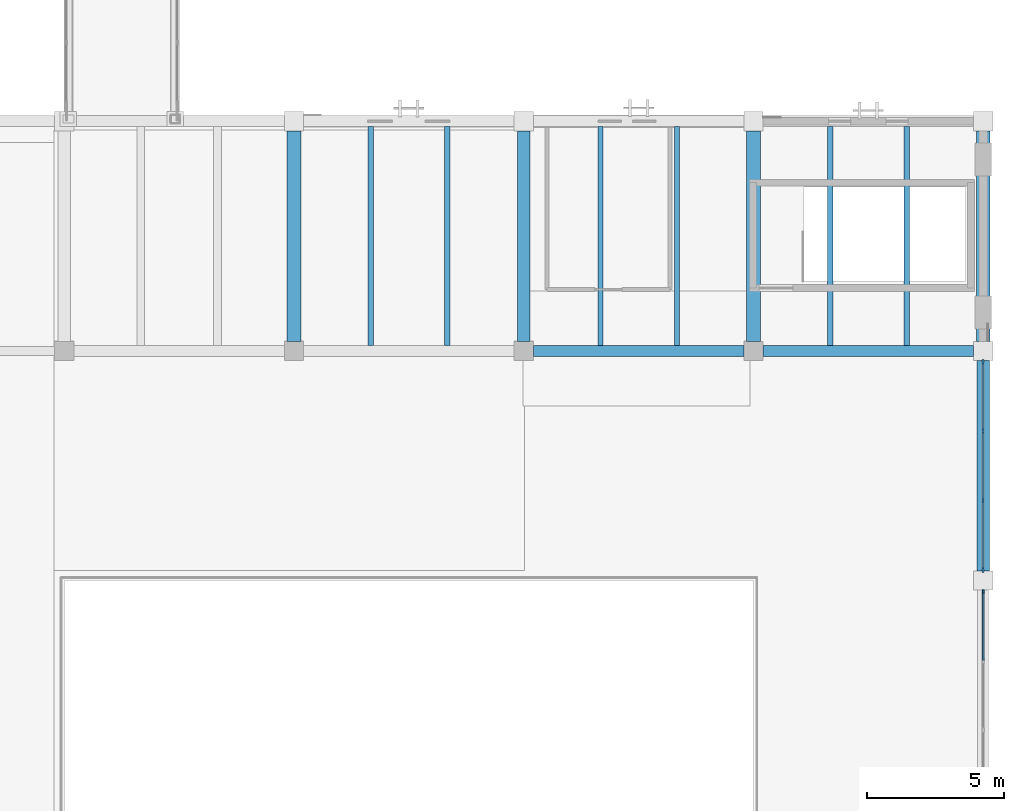
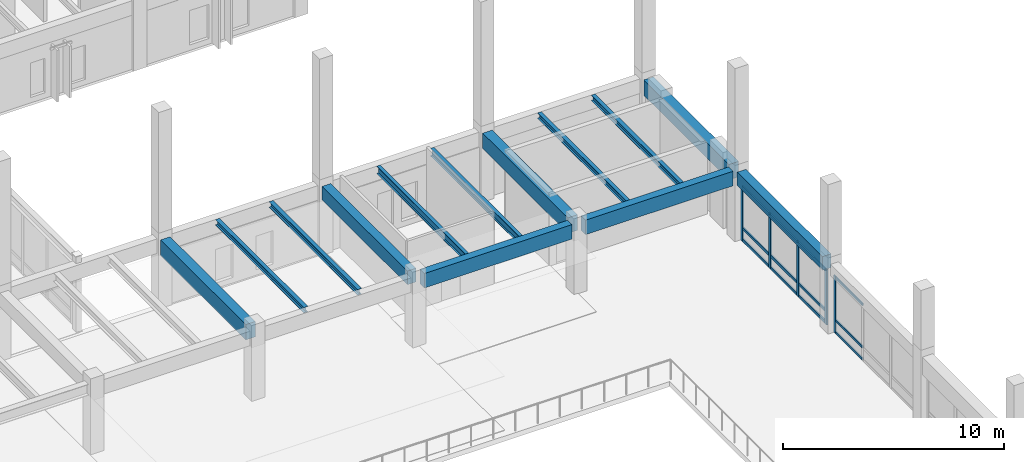
# One storey, part 56 of 132: 17 members, 13 beams, 2 elements without a shape of their own.
"""IFC4 building model written with IfcOpenShell, lengths in metres."""

import ifcopenshell
import ifcopenshell.guid

model = None  # the IFC model being written
_history = None  # IfcOwnerHistory: only IFC2X3 demands one
_inside = {}  # id of a spatial element -> (the spatial element, [elements in it])
_under = {}  # id of a project, library or spatial element -> (it, [spatial elements below it])
_declared = {}  # id of a project -> (the project, [libraries it declares])
_typed = {}  # id of a type object -> (the type object, [elements of that type])
_made_of = {}  # id of a material, layer set ... -> (it, [elements and type objects made of it])


def new_model(schema):
    """Start an empty IFC model of exactly this schema.

    Asked for "IFC4X3", IfcOpenShell would pick the latest addendum, in which some entities
    have other attributes; the version numbers below select the first issue.
    IFC2X3 requires an IfcOwnerHistory on every rooted entity: one is made here for all.
    """
    global model, _history
    if schema == "IFC4X3":
        model = ifcopenshell.file(schema_version=(4, 3, 0, 0))
    else:
        model = ifcopenshell.file(schema=schema)
    _inside.clear()
    _under.clear()
    _declared.clear()
    _typed.clear()
    _made_of.clear()
    _history = None
    if model.schema == "IFC2X3":
        org = make("IfcOrganization", Name="unknown")
        user = make(
            "IfcPersonAndOrganization",
            ThePerson=make("IfcPerson", FamilyName="unknown"),
            TheOrganization=org,
        )
        app = make(
            "IfcApplication",
            ApplicationDeveloper=org,
            Version="unknown",
            ApplicationFullName="unknown",
            ApplicationIdentifier="unknown",
        )
        _history = make(
            "IfcOwnerHistory",
            OwningUser=user,
            OwningApplication=app,
            ChangeAction="ADDED",
            CreationDate=0,
        )
    return model


def make(cls, **values):
    """One entity of the class cls with the attributes given. An attribute that is None is left unset."""
    return model.create_entity(
        cls, **{name: value for name, value in values.items() if value is not None}
    )


def rooted(cls, **values):
    """An entity with a GlobalId (a new one), such as an element, a storey or a relation."""
    return make(cls, GlobalId=ifcopenshell.guid.new(), OwnerHistory=_history, **values)


def si_unit(unit_type, name, prefix=None):
    """IfcSIUnit, for example si_unit("LENGTHUNIT", "METRE", prefix="MILLI")."""
    return make("IfcSIUnit", UnitType=unit_type, Prefix=prefix, Name=name)


def assignment(units):
    """IfcUnitAssignment: the units of a project."""
    return None if units is None else make("IfcUnitAssignment", Units=units)


def point(xyz):
    """IfcCartesianPoint."""
    return None if xyz is None else make("IfcCartesianPoint", Coordinates=xyz)


def direction(xyz):
    """IfcDirection."""
    return None if xyz is None else make("IfcDirection", DirectionRatios=xyz)


def frame(location, z_axis=None, x_axis=None):
    """IfcAxis2Placement3D, a coordinate frame: its origin and axes. An axis left out is left unset."""
    return make(
        "IfcAxis2Placement3D",
        Location=point(location),
        Axis=direction(z_axis),
        RefDirection=direction(x_axis),
    )


def frame_2d(location, x_axis=None):
    """IfcAxis2Placement2D, a coordinate frame in the plane: its origin and x axis."""
    return make(
        "IfcAxis2Placement2D", Location=point(location), RefDirection=direction(x_axis)
    )


def origin():
    """The frame at (0, 0, 0) with its axes left unset."""
    return frame((0.0, 0.0, 0.0))


def origin_2d():
    """The frame at (0, 0) in the plane with its x axis left unset."""
    return frame_2d((0.0, 0.0))


def place(relative_to, where):
    """IfcLocalPlacement: puts the frame where relative to a parent placement (None: the world)."""
    return make(
        "IfcLocalPlacement", PlacementRelTo=relative_to, RelativePlacement=where
    )


def context(
    kind, dimensions, precision=None, world=None, true_north=None, identifier=None
):
    """IfcGeometricRepresentationContext, for example the 3D "Model" context."""
    return make(
        "IfcGeometricRepresentationContext",
        ContextIdentifier=identifier,
        ContextType=kind,
        CoordinateSpaceDimension=dimensions,
        Precision=precision,
        WorldCoordinateSystem=world,
        TrueNorth=true_north,
    )


def subcontext(parent, identifier, kind, view, scale=None):
    """IfcGeometricRepresentationSubContext, for example "Body" below "Model"."""
    return make(
        "IfcGeometricRepresentationSubContext",
        ContextIdentifier=identifier,
        ContextType=kind,
        ParentContext=parent,
        TargetScale=scale,
        TargetView=view,
    )


def project(units=None, contexts=None):
    """IfcProject with its units and contexts."""
    return rooted(
        "IfcProject",
        Name="project",
        RepresentationContexts=contexts,
        UnitsInContext=assignment(units),
    )


def spatial(cls, under=None, at=None, **own):
    """A site, building, storey or space (cls), placed at a placement, below another one or the project."""
    s = rooted(cls, ObjectPlacement=at, **own)
    if under is not None:
        _under.setdefault(under.id(), (under, []))[1].append(s)
    return s


def profile(cls, at=None, kind="AREA", **sizes):
    """A parametric profile (cls). Its sizes go by their IFC names, for example OverallWidth=200.0."""
    return make(cls, ProfileType=kind, Position=at, **sizes)


def rectangle(**sizes):
    """IfcRectangleProfileDef."""
    return profile("IfcRectangleProfileDef", **sizes)


def i_section(**sizes):
    """IfcIShapeProfileDef."""
    return profile("IfcIShapeProfileDef", **sizes)


def extrude(swept, where, along, depth):
    """IfcExtrudedAreaSolid: the profile swept, set in the frame where, extruded along a direction by depth."""
    return make(
        "IfcExtrudedAreaSolid",
        SweptArea=swept,
        Position=where,
        ExtrudedDirection=direction(along),
        Depth=depth,
    )


def shape(context_of_items, identifier, shape_type, items):
    """IfcShapeRepresentation: the items that make up one representation, for example the "Body"."""
    return make(
        "IfcShapeRepresentation",
        ContextOfItems=context_of_items,
        RepresentationIdentifier=identifier,
        RepresentationType=shape_type,
        Items=items,
    )


def material(Name=None, Category=None):
    """IfcMaterial."""
    return make("IfcMaterial", Name=Name, Category=Category)


def material_profile(
    of_material, cross_section, Name=None, Category=None, Priority=None
):
    """IfcMaterialProfile: a cross section and its material."""
    return make(
        "IfcMaterialProfile",
        Name=Name,
        Material=of_material,
        Profile=cross_section,
        Priority=Priority,
        Category=Category,
    )


def profile_set(profiles, Name=None, composite=None):
    """IfcMaterialProfileSet."""
    return make(
        "IfcMaterialProfileSet",
        Name=Name,
        MaterialProfiles=profiles,
        CompositeProfile=composite,
    )


def made_of(thing, what):
    """Note that an element or type object is made of a material, layer set ...; save() writes the relation."""
    if what is not None:
        _made_of.setdefault(what.id(), (what, []))[1].append(thing)
    return thing


def type_object(cls, material=None, **own):
    """A type object (cls), such as IfcWallType, which elements share."""
    return made_of(rooted(cls, **own), material)


def element(
    cls,
    number,
    at=None,
    inside=None,
    cuts=None,
    type_object=None,
    material=None,
    context=None,
    identifier="Body",
    shape_type=None,
    held_by="IfcProductDefinitionShape",
    body=None,
    shapes=None,
    **own,
):
    """One element of the class cls, such as IfcWall. Its Tag is "e" and its number.

    at: its placement. inside: the storey or other place that contains it. cuts: it is an
    opening in that element (IfcRelVoidsElement). A single representation is given by context,
    identifier, shape_type and body (its items); several are given by shapes. held_by: the class
    of the entity that holds the representations. save() writes the other relations.
    """
    e = rooted(cls, Tag="e%d" % number, ObjectPlacement=at, **own)
    if body is not None:
        shapes = [shape(context, identifier, shape_type, body)]
    if shapes is not None:
        e.Representation = make(held_by, Representations=shapes)
    if inside is not None:
        _inside.setdefault(inside.id(), (inside, []))[1].append(e)
    if cuts is not None:
        rooted(
            "IfcRelVoidsElement", RelatingBuildingElement=cuts, RelatedOpeningElement=e
        )
    if type_object is not None:
        _typed.setdefault(type_object.id(), (type_object, []))[1].append(e)
    return made_of(e, material)


def aggregate(whole, parts):
    """IfcRelAggregates: a whole, such as a stair, and the parts it consists of."""
    return rooted("IfcRelAggregates", RelatingObject=whole, RelatedObjects=parts)


def save(model, path):
    """Write the relations noted so far, then the file.

    IfcRelAggregates (storeys below a building ...), IfcRelContainedInSpatialStructure (elements
    in a storey), IfcRelDefinesByType, IfcRelAssociatesMaterial and IfcRelDeclares: one each for
    every whole, place, type object, material and project.
    """
    for whole, parts in _under.values():
        aggregate(whole, parts)
    for where, things in _inside.values():
        rooted(
            "IfcRelContainedInSpatialStructure",
            RelatedElements=things,
            RelatingStructure=where,
        )
    for kind, things in _typed.values():
        rooted("IfcRelDefinesByType", RelatedObjects=things, RelatingType=kind)
    for what, things in _made_of.values():
        rooted("IfcRelAssociatesMaterial", RelatedObjects=things, RelatingMaterial=what)
    for by, libraries in _declared.values():
        rooted("IfcRelDeclares", RelatingContext=by, RelatedDefinitions=libraries)
    model.write(path)


model = new_model("IFC4")

# Units and contexts
model_context = context("Model", 3, precision=1e-05, world=origin(), true_north=direction((0.0, 1.0)))
body_context = subcontext(model_context, "Body", "Model", "MODEL_VIEW")
ifc_project = project(units=[si_unit("LENGTHUNIT", "METRE"), si_unit("AREAUNIT", "SQUARE_METRE"), si_unit("VOLUMEUNIT", "CUBIC_METRE"), si_unit("PLANEANGLEUNIT", "RADIAN"), si_unit("MASSUNIT", "GRAM", prefix="KILO")], contexts=[model_context])

# Site, building, storey
site_placement = place(None, origin())
site = spatial("IfcSite", under=ifc_project, at=site_placement, CompositionType="ELEMENT")
building_placement = place(site_placement, origin())
building = spatial("IfcBuilding", under=site, at=building_placement, Name="Cumbredor Promenade Congress Hotel", CompositionType="ELEMENT")
storey_placement = place(building_placement, frame((0.0, 0.0, 7.56005859375)))
storey = spatial("IfcBuildingStorey", under=building, at=storey_placement, Name="L02", CompositionType="ELEMENT", Elevation=7.56005859375)

# Beams
ifc_material_1 = material(Name="Concrete C40/50", Category="concrete")
ifc_material_profile_1 = material_profile(ifc_material_1, rectangle(XDim=0.449951171875, YDim=0.75, at=origin_2d()), Name="RC BEAM 450x750")
ifc_profile_set_1 = profile_set([ifc_material_profile_1], Name="Concrete C40/50")
beam_type_1 = type_object("IfcBeamType", Name="BM-RC-450x750", PredefinedType="BEAM", material=ifc_profile_set_1)
beam_1_placement = place(storey_placement, frame((168.0, 59.14990234375, 3.425048828125), z_axis=(0.0, 1.0, 0.0), x_axis=(-1.0, 0.0, 0.0)))
element("IfcBeam", 1, at=beam_1_placement, inside=storey, type_object=beam_type_1, Name="L03 Y-Grid Beam 233", PredefinedType="BEAM", context=body_context, shape_type="SweptSolid", body=[
    extrude(rectangle(XDim=0.449951171875, YDim=0.75, at=origin_2d()), origin(), (0.0, 0.0, 1.0), 7.7001953125),
])
beam_2_placement = place(storey_placement, frame((184.800048828125, 50.75, 3.425048828125), z_axis=(0.0, 1.0, 0.0), x_axis=(-1.0, 0.0, 0.0)))
element("IfcBeam", 2, at=beam_2_placement, inside=storey, type_object=beam_type_1, Name="L03 Y-Grid Beam 257", PredefinedType="BEAM", context=body_context, shape_type="SweptSolid", body=[
    extrude(rectangle(XDim=0.449951171875, YDim=0.75, at=origin_2d()), origin(), (0.0, 0.0, 1.0), 7.699951171875),
])
ifc_material_profile_2 = material_profile(ifc_material_1, rectangle(XDim=0.5, YDim=0.85009765625, at=origin_2d()), Name="RC BEAM 500x850")
ifc_profile_set_2 = profile_set([ifc_material_profile_2], Name="Concrete C40/50")
beam_type_2 = type_object("IfcBeamType", Name="BM-RC-500x850", PredefinedType="BEAM", material=ifc_profile_set_2)
for number, where, z_axis, x_axis, name in (
    (3, (159.60009765625, 59.14990234375, 3.375), (0.0, 1.0, 0.0), (-1.0, 0.0, 0.0), "L03 Y-Grid Beam 218"),
    (4, (176.39990234375, 59.14990234375, 3.375), (0.0, 1.0, 0.0), (-1.0, 0.0, 0.0), "L03 Y-Grid Beam 246"),
    (5, (184.800048828125, 59.14990234375, 3.375), (0.0, 1.0, 0.0), (-1.0, 0.0, 0.0), "L03 Y-Grid Beam 258"),
):
    element("IfcBeam", number, at=place(storey_placement, frame(where, z_axis=z_axis, x_axis=x_axis)), inside=storey, type_object=beam_type_2, Name=name, PredefinedType="BEAM", context=body_context, shape_type="SweptSolid", body=[
        extrude(rectangle(XDim=0.5, YDim=0.85009765625, at=origin_2d()), origin(), (0.0, 0.0, 1.0), 7.7001953125),
    ])

# Curtain wall, member
ifc_material_2 = material(Name="Thermally broken anodized aluminium and low-E glass", Category="aluminium")
curtain_wall_type = type_object("IfcCurtainWallType", Name="Unitised Bronze Curtain Wall CW-01", PredefinedType="NOTDEFINED", material=ifc_material_2)
curtain_wall_1_placement = place(storey_placement, origin())
curtain_wall_1 = element("IfcCurtainWall", 6, at=curtain_wall_1_placement, inside=storey, type_object=curtain_wall_type, Name="L02 Grand Ballroom Pavilion East Curtain Wall 5", PredefinedType="NOTDEFINED")
ifc_material_3 = material(Name="Thermally broken anodized aluminium", Category="aluminium")
ifc_material_profile_3 = material_profile(ifc_material_3, rectangle(XDim=0.06494140625, YDim=0.159912109375, at=origin_2d()), Name="ALU MULLION 65x160")
ifc_profile_set_3 = profile_set([ifc_material_profile_3], Name="Thermally broken anodized aluminium")
member_type_1 = type_object("IfcMemberType", Name="Curtain Wall Mullion ML-01", PredefinedType="MULLION", material=ifc_profile_set_3)
member_1_placement = place(storey_placement, frame((184.800048828125, 49.9951171875, -0.008056640625), z_axis=(0.0, 0.0, 1.0), x_axis=(1.0, 0.0, 0.0)))
member_1 = element("IfcMember", 7, at=member_1_placement, type_object=member_type_1, Name="L02 Grand Ballroom Pavilion East Curtain Wall 5 Mullion 4", PredefinedType="MULLION", context=body_context, shape_type="SweptSolid", body=[
    extrude(rectangle(XDim=0.06494140625, YDim=0.159912109375, at=origin_2d()), origin(), (0.0, 0.0, 1.0), 3.15087890625),
])

# Curtain wall, members
curtain_wall_2_placement = place(storey_placement, origin())
curtain_wall_2 = element("IfcCurtainWall", 8, at=curtain_wall_2_placement, inside=storey, type_object=curtain_wall_type, Name="L02 Grand Ballroom Pavilion East Curtain Wall 6", PredefinedType="NOTDEFINED")
ifc_material_profile_4 = material_profile(ifc_material_3, rectangle(XDim=0.074951171875, YDim=0.199951171875, at=origin_2d()), Name="ALU MULLION 75x200")
ifc_profile_set_4 = profile_set([ifc_material_profile_4], Name="Thermally broken anodized aluminium")
member_type_2 = type_object("IfcMemberType", Name="Curtain Wall Mullion ML-02", PredefinedType="MULLION", material=ifc_profile_set_4)
member_2_placement = place(storey_placement, frame((184.800048828125, 50.804931640625, -0.008056640625), z_axis=(0.0, 0.0, 1.0), x_axis=(1.0, 0.0, 0.0)))
member_2 = element("IfcMember", 9, at=member_2_placement, type_object=member_type_2, Name="L02 Grand Ballroom Pavilion East Curtain Wall 6 Mullion 1", PredefinedType="MULLION", context=body_context, shape_type="SweptSolid", body=[
    extrude(rectangle(XDim=0.074951171875, YDim=0.199951171875, at=origin_2d()), origin(), (0.0, 0.0, 1.0), 3.051025390625),
])
member_3_placement = place(storey_placement, frame((184.800048828125, 53.3349609375, -0.008056640625), z_axis=(0.0, 0.0, 1.0), x_axis=(1.0, 0.0, 0.0)))
member_3 = element("IfcMember", 10, at=member_3_placement, type_object=member_type_2, Name="L02 Grand Ballroom Pavilion East Curtain Wall 6 Mullion 2", PredefinedType="MULLION", context=body_context, shape_type="SweptSolid", body=[
    extrude(rectangle(XDim=0.074951171875, YDim=0.199951171875, at=origin_2d()), origin(), (0.0, 0.0, 1.0), 3.051025390625),
])
member_4_placement = place(storey_placement, frame((184.800048828125, 55.864990234375, -0.008056640625), z_axis=(0.0, 0.0, 1.0), x_axis=(1.0, 0.0, 0.0)))
member_4 = element("IfcMember", 11, at=member_4_placement, type_object=member_type_2, Name="L02 Grand Ballroom Pavilion East Curtain Wall 6 Mullion 3", PredefinedType="MULLION", context=body_context, shape_type="SweptSolid", body=[
    extrude(rectangle(XDim=0.074951171875, YDim=0.199951171875, at=origin_2d()), origin(), (0.0, 0.0, 1.0), 3.051025390625),
])
member_5_placement = place(storey_placement, frame((184.800048828125, 58.39501953125, -0.008056640625), z_axis=(0.0, 0.0, 1.0), x_axis=(1.0, 0.0, 0.0)))
member_5 = element("IfcMember", 12, at=member_5_placement, type_object=member_type_2, Name="L02 Grand Ballroom Pavilion East Curtain Wall 6 Mullion 4", PredefinedType="MULLION", context=body_context, shape_type="SweptSolid", body=[
    extrude(rectangle(XDim=0.074951171875, YDim=0.199951171875, at=origin_2d()), origin(), (0.0, 0.0, 1.0), 3.051025390625),
])

# Member
ifc_material_profile_5 = material_profile(ifc_material_3, rectangle(XDim=0.06494140625, YDim=0.1298828125, at=origin_2d()), Name="ALU TRANSOM 65x130")
ifc_profile_set_5 = profile_set([ifc_material_profile_5], Name="Thermally broken anodized aluminium")
member_type_3 = type_object("IfcMemberType", Name="Curtain Wall Transom TR-01", PredefinedType="USERDEFINED", material=ifc_profile_set_5)
member_6_placement = place(storey_placement, frame((184.800048828125, 47.49755859375, 0.06005859375), z_axis=(0.0, 1.0, 0.0), x_axis=(-1.0, 0.0, 0.0)))
member_6 = element("IfcMember", 13, at=member_6_placement, type_object=member_type_3, Name="L02 Grand Ballroom Pavilion East Curtain Wall 5 Transom 3.1", ObjectType="TRANSOM", PredefinedType="USERDEFINED", context=body_context, shape_type="SweptSolid", body=[
    extrude(rectangle(XDim=0.06494140625, YDim=0.1298828125, at=origin_2d()), origin(), (0.0, 0.0, 1.0), 2.46484375),
])

member_7_placement = place(storey_placement, frame((184.800048828125, 47.49755859375, 0.719970703125), z_axis=(0.0, 1.0, 0.0), x_axis=(-1.0, 0.0, 0.0)))
member_7 = element("IfcMember", 14, at=member_7_placement, type_object=member_type_3, Name="L02 Grand Ballroom Pavilion East Curtain Wall 5 Transom 3.2", ObjectType="TRANSOM", PredefinedType="USERDEFINED", context=body_context, shape_type="SweptSolid", body=[
    extrude(rectangle(XDim=0.06494140625, YDim=0.1298828125, at=origin_2d()), origin(), (0.0, 0.0, 1.0), 2.46484375),
])

member_8_placement = place(storey_placement, frame((184.800048828125, 47.49755859375, 3.06982421875), z_axis=(0.0, 1.0, 0.0), x_axis=(-1.0, 0.0, 0.0)))
member_8 = element("IfcMember", 15, at=member_8_placement, type_object=member_type_3, Name="L02 Grand Ballroom Pavilion East Curtain Wall 5 Transom 3.3", ObjectType="TRANSOM", PredefinedType="USERDEFINED", context=body_context, shape_type="SweptSolid", body=[
    extrude(rectangle(XDim=0.06494140625, YDim=0.1298828125, at=origin_2d()), origin(), (0.0, 0.0, 1.0), 2.46484375),
])

aggregate(curtain_wall_1, [member_1, member_6, member_7, member_8])

ifc_material_profile_6 = material_profile(ifc_material_3, rectangle(XDim=0.074951171875, YDim=0.14990234375, at=origin_2d()), Name="ALU TRANSOM 75x150")
ifc_profile_set_6 = profile_set([ifc_material_profile_6], Name="Thermally broken anodized aluminium")
member_type_4 = type_object("IfcMemberType", Name="Curtain Wall Transom TR-02", PredefinedType="USERDEFINED", material=ifc_profile_set_6)
member_9_placement = place(storey_placement, frame((184.800048828125, 50.842529296875, 0.06982421875), z_axis=(0.0, 1.0, 0.0), x_axis=(-1.0, 0.0, 0.0)))
member_9 = element("IfcMember", 16, at=member_9_placement, type_object=member_type_4, Name="L02 Grand Ballroom Pavilion East Curtain Wall 6 Transom 1.1", ObjectType="TRANSOM", PredefinedType="USERDEFINED", context=body_context, shape_type="SweptSolid", body=[
    extrude(rectangle(XDim=0.074951171875, YDim=0.14990234375, at=origin_2d()), origin(), (0.0, 0.0, 1.0), 2.455078125),
])

member_10_placement = place(storey_placement, frame((184.800048828125, 50.842529296875, 0.719970703125), z_axis=(0.0, 1.0, 0.0), x_axis=(-1.0, 0.0, 0.0)))
member_10 = element("IfcMember", 17, at=member_10_placement, type_object=member_type_4, Name="L02 Grand Ballroom Pavilion East Curtain Wall 6 Transom 1.2", ObjectType="TRANSOM", PredefinedType="USERDEFINED", context=body_context, shape_type="SweptSolid", body=[
    extrude(rectangle(XDim=0.074951171875, YDim=0.14990234375, at=origin_2d()), origin(), (0.0, 0.0, 1.0), 2.455078125),
])

member_11_placement = place(storey_placement, frame((184.800048828125, 50.842529296875, 2.9599609375), z_axis=(0.0, 1.0, 0.0), x_axis=(-1.0, 0.0, 0.0)))
member_11 = element("IfcMember", 18, at=member_11_placement, type_object=member_type_4, Name="L02 Grand Ballroom Pavilion East Curtain Wall 6 Transom 1.3", ObjectType="TRANSOM", PredefinedType="USERDEFINED", context=body_context, shape_type="SweptSolid", body=[
    extrude(rectangle(XDim=0.074951171875, YDim=0.14990234375, at=origin_2d()), origin(), (0.0, 0.0, 1.0), 2.455078125),
])

member_12_placement = place(storey_placement, frame((184.800048828125, 53.37255859375, 0.06982421875), z_axis=(0.0, 1.0, 0.0), x_axis=(-1.0, 0.0, 0.0)))
member_12 = element("IfcMember", 19, at=member_12_placement, type_object=member_type_4, Name="L02 Grand Ballroom Pavilion East Curtain Wall 6 Transom 2.1", ObjectType="TRANSOM", PredefinedType="USERDEFINED", context=body_context, shape_type="SweptSolid", body=[
    extrude(rectangle(XDim=0.074951171875, YDim=0.14990234375, at=origin_2d()), origin(), (0.0, 0.0, 1.0), 2.454833984375),
])

member_13_placement = place(storey_placement, frame((184.800048828125, 53.37255859375, 0.719970703125), z_axis=(0.0, 1.0, 0.0), x_axis=(-1.0, 0.0, 0.0)))
member_13 = element("IfcMember", 20, at=member_13_placement, type_object=member_type_4, Name="L02 Grand Ballroom Pavilion East Curtain Wall 6 Transom 2.2", ObjectType="TRANSOM", PredefinedType="USERDEFINED", context=body_context, shape_type="SweptSolid", body=[
    extrude(rectangle(XDim=0.074951171875, YDim=0.14990234375, at=origin_2d()), origin(), (0.0, 0.0, 1.0), 2.454833984375),
])

member_14_placement = place(storey_placement, frame((184.800048828125, 53.37255859375, 2.9599609375), z_axis=(0.0, 1.0, 0.0), x_axis=(-1.0, 0.0, 0.0)))
member_14 = element("IfcMember", 21, at=member_14_placement, type_object=member_type_4, Name="L02 Grand Ballroom Pavilion East Curtain Wall 6 Transom 2.3", ObjectType="TRANSOM", PredefinedType="USERDEFINED", context=body_context, shape_type="SweptSolid", body=[
    extrude(rectangle(XDim=0.074951171875, YDim=0.14990234375, at=origin_2d()), origin(), (0.0, 0.0, 1.0), 2.454833984375),
])

member_15_placement = place(storey_placement, frame((184.800048828125, 55.902587890625, 0.06982421875), z_axis=(0.0, 1.0, 0.0), x_axis=(-1.0, 0.0, 0.0)))
member_15 = element("IfcMember", 22, at=member_15_placement, type_object=member_type_4, Name="L02 Grand Ballroom Pavilion East Curtain Wall 6 Transom 3.1", ObjectType="TRANSOM", PredefinedType="USERDEFINED", context=body_context, shape_type="SweptSolid", body=[
    extrude(rectangle(XDim=0.074951171875, YDim=0.14990234375, at=origin_2d()), origin(), (0.0, 0.0, 1.0), 2.454833984375),
])

member_16_placement = place(storey_placement, frame((184.800048828125, 55.902587890625, 0.719970703125), z_axis=(0.0, 1.0, 0.0), x_axis=(-1.0, 0.0, 0.0)))
member_16 = element("IfcMember", 23, at=member_16_placement, type_object=member_type_4, Name="L02 Grand Ballroom Pavilion East Curtain Wall 6 Transom 3.2", ObjectType="TRANSOM", PredefinedType="USERDEFINED", context=body_context, shape_type="SweptSolid", body=[
    extrude(rectangle(XDim=0.074951171875, YDim=0.14990234375, at=origin_2d()), origin(), (0.0, 0.0, 1.0), 2.454833984375),
])

member_17_placement = place(storey_placement, frame((184.800048828125, 55.902587890625, 2.9599609375), z_axis=(0.0, 1.0, 0.0), x_axis=(-1.0, 0.0, 0.0)))
member_17 = element("IfcMember", 24, at=member_17_placement, type_object=member_type_4, Name="L02 Grand Ballroom Pavilion East Curtain Wall 6 Transom 3.3", ObjectType="TRANSOM", PredefinedType="USERDEFINED", context=body_context, shape_type="SweptSolid", body=[
    extrude(rectangle(XDim=0.074951171875, YDim=0.14990234375, at=origin_2d()), origin(), (0.0, 0.0, 1.0), 2.454833984375),
])

aggregate(curtain_wall_2, [member_2, member_3, member_4, member_5, member_9, member_10, member_11, member_12, member_13, member_14, member_15, member_16, member_17])

# Beams
ifc_material_4 = material(Name="Steel ASTM A992 Grade 50", Category="steel")
ifc_material_profile_7 = material_profile(ifc_material_4, i_section(OverallWidth=0.202880859375, OverallDepth=0.302978515625, WebThickness=0.007568359375, FlangeThickness=0.01318359375, at=origin_2d()), Name="W12X40")
ifc_profile_set_7 = profile_set([ifc_material_profile_7], Name="Steel ASTM A992 Grade 50")
beam_type_3 = type_object("IfcBeamType", Name="JST-W12X40", PredefinedType="JOIST", material=ifc_profile_set_7)
for number, where, z_axis, x_axis, name in (
    (25, (162.39990234375, 59.0, 3.6484375), (0.0, 1.0, 0.0), (-1.0, 0.0, 0.0), "L03 Secondary Floor Joist 0126"),
    (26, (165.199951171875, 59.0, 3.6484375), (0.0, 1.0, 0.0), (-1.0, 0.0, 0.0), "L03 Secondary Floor Joist 0127"),
    (27, (179.199951171875, 59.0, 3.6484375), (0.0, 1.0, 0.0), (-1.0, 0.0, 0.0), "L03 Secondary Floor Joist 0146"),
    (28, (182.0, 59.0, 3.6484375), (0.0, 1.0, 0.0), (-1.0, 0.0, 0.0), "L03 Secondary Floor Joist 0147"),
):
    element("IfcBeam", number, at=place(storey_placement, frame(where, z_axis=z_axis, x_axis=x_axis)), inside=storey, type_object=beam_type_3, Name=name, PredefinedType="JOIST", context=body_context, shape_type="SweptSolid", body=[
        extrude(i_section(OverallWidth=0.202880859375, OverallDepth=0.302978515625, WebThickness=0.007568359375, FlangeThickness=0.01318359375, at=origin_2d()), origin(), (0.0, 0.0, 1.0), 8.0),
    ])
ifc_material_profile_8 = material_profile(ifc_material_4, i_section(OverallWidth=0.180908203125, OverallDepth=0.4169921875, WebThickness=0.010986328125, FlangeThickness=0.018310546875, at=origin_2d()), Name="W16X57")
ifc_profile_set_8 = profile_set([ifc_material_profile_8], Name="Steel ASTM A992 Grade 50")
beam_type_4 = type_object("IfcBeamType", Name="JST-W16X57", PredefinedType="JOIST", material=ifc_profile_set_8)
for number, where, z_axis, x_axis, name in (
    (29, (170.800048828125, 59.0, 3.591552734375), (0.0, 1.0, 0.0), (-1.0, 0.0, 0.0), "L03 Secondary Floor Joist 0138"),
    (30, (173.60009765625, 59.0, 3.591552734375), (0.0, 1.0, 0.0), (-1.0, 0.0, 0.0), "L03 Secondary Floor Joist 0139"),
):
    element("IfcBeam", number, at=place(storey_placement, frame(where, z_axis=z_axis, x_axis=x_axis)), inside=storey, type_object=beam_type_4, Name=name, PredefinedType="JOIST", context=body_context, shape_type="SweptSolid", body=[
        extrude(i_section(OverallWidth=0.180908203125, OverallDepth=0.4169921875, WebThickness=0.010986328125, FlangeThickness=0.018310546875, at=origin_2d()), origin(), (0.0, 0.0, 1.0), 8.0),
    ])
ifc_material_profile_9 = material_profile(ifc_material_1, rectangle(XDim=0.39990234375, YDim=0.800048828125, at=origin_2d()), Name="RC SPANDREL 400x800")
ifc_profile_set_9 = profile_set([ifc_material_profile_9], Name="Concrete C40/50")
beam_type_5 = type_object("IfcBeamType", Name="SP-RC-400x800", PredefinedType="SPANDREL", material=ifc_profile_set_9)
for number, where, z_axis, x_axis, name in (
    (31, (168.35009765625, 58.800048828125, 3.39990234375), (1.0, 0.0, 0.0), (0.0, 1.0, 0.0), "L03 X-Grid Beam 232"),
    (32, (176.75, 58.800048828125, 3.39990234375), (1.0, 0.0, 0.0), (0.0, 1.0, 0.0), "L03 X-Grid Beam 245"),
):
    element("IfcBeam", number, at=place(storey_placement, frame(where, z_axis=z_axis, x_axis=x_axis)), inside=storey, type_object=beam_type_5, Name=name, PredefinedType="SPANDREL", context=body_context, shape_type="SweptSolid", body=[
        extrude(rectangle(XDim=0.39990234375, YDim=0.800048828125, at=origin_2d()), origin(), (0.0, 0.0, 1.0), 7.699951171875),
    ])

save(model, "model.ifc")
